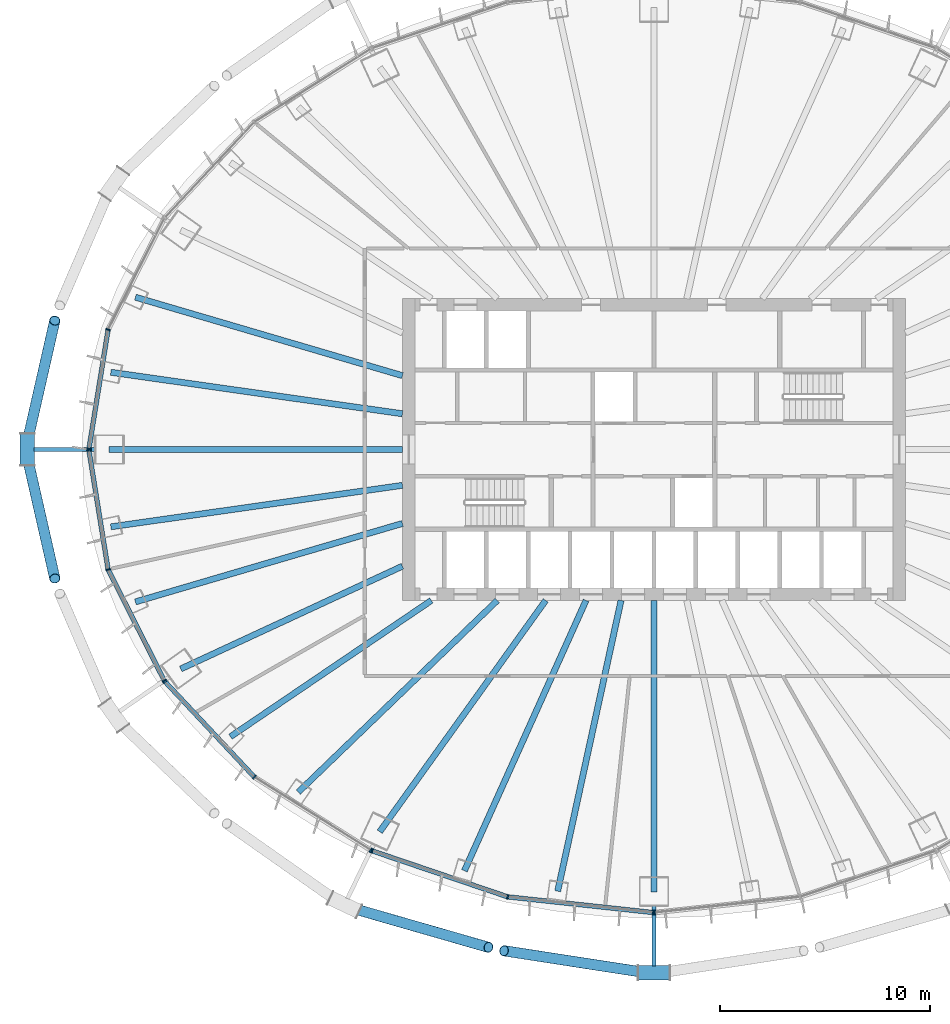
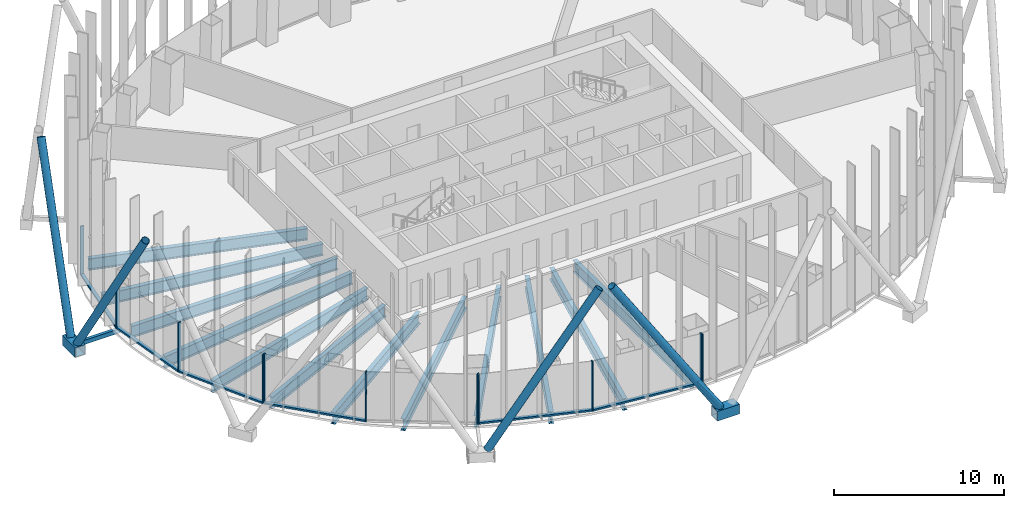
# One storey, part 2 of 21: 26 members, 12 beams, 5 elements without a shape of their own.
"""IFC4 building model written with IfcOpenShell, lengths in metres."""

from ifc_helpers import new_model, si_unit, direction, frame, origin, origin_2d, place, context, subcontext, project, spatial, rectangle, hollow_rectangle, hollow_circle, i_section, extrude, material, layer, layer_set, material_profile, profile_set, type_object, element, aggregate, save


model = new_model("IFC4")

# Units and contexts
model_context = context("Model", 3, precision=1e-05, world=origin(), true_north=direction((0.0, 1.0)))
body_context = subcontext(model_context, "Body", "Model", "MODEL_VIEW")
ifc_project = project(units=[si_unit("LENGTHUNIT", "METRE"), si_unit("AREAUNIT", "SQUARE_METRE"), si_unit("VOLUMEUNIT", "CUBIC_METRE"), si_unit("PLANEANGLEUNIT", "RADIAN"), si_unit("MASSUNIT", "GRAM", prefix="KILO")], contexts=[model_context])

# Site, building, storey
site_placement = place(None, origin())
site = spatial("IfcSite", under=ifc_project, at=site_placement, CompositionType="ELEMENT")
building_placement = place(site_placement, origin())
building = spatial("IfcBuilding", under=site, at=building_placement, Name="Siaravel Broadcast Tower", CompositionType="ELEMENT")
storey_placement = place(building_placement, frame((0.0, 0.0, 70.39990234375)))
storey = spatial("IfcBuildingStorey", under=building, at=storey_placement, Name="L16", CompositionType="ELEMENT", Elevation=70.39990234375)

# Beams
ifc_material_1 = material(Name="Steel S355", Category="steel")
ifc_material_profile_1 = material_profile(ifc_material_1, i_section(OverallWidth=0.291748046875, OverallDepth=0.8349609375, WebThickness=0.013916015625, FlangeThickness=0.018798828125, FilletRadius=0.017822265625, at=origin_2d()))
ifc_profile_set_1 = profile_set([ifc_material_profile_1], Name="Steel S355")
beam_type = type_object("IfcBeamType", Name="BM-UB 838x292x176", PredefinedType="BEAM", material=ifc_profile_set_1)
beam_1_placement = place(storey_placement, frame((-24.739990234375, 7.268798828125, -0.5673828125), z_axis=(0.959449778, -0.281879626, 0.0), x_axis=(0.281879626, 0.959449778, 0.0)))
element("IfcBeam", 1, at=beam_1_placement, inside=storey, type_object=beam_type, Name="Radial beam RB17", PredefinedType="BEAM", context=body_context, shape_type="SweptSolid", body=[
    extrude(i_section(OverallWidth=0.291748046875, OverallDepth=0.8349609375, WebThickness=0.013916015625, FlangeThickness=0.018798828125, FilletRadius=0.017822265625, at=origin_2d()), origin(), (0.0, 0.0, 1.0), 13.2783203125),
])
beam_2_placement = place(storey_placement, frame((-25.911865234375, 3.68701171875, -0.5673828125), z_axis=(0.990028218, -0.140869185, 0.0), x_axis=(0.140869185, 0.990028218, 0.0)))
element("IfcBeam", 2, at=beam_2_placement, inside=storey, type_object=beam_type, Name="Radial beam RB18", PredefinedType="BEAM", context=body_context, shape_type="SweptSolid", body=[
    extrude(i_section(OverallWidth=0.291748046875, OverallDepth=0.8349609375, WebThickness=0.013916015625, FlangeThickness=0.018798828125, FilletRadius=0.017822265625, at=origin_2d()), origin(), (0.0, 0.0, 1.0), 14.052001953125),
])
beam_3_placement = place(storey_placement, frame((-26.005615234375, 0.0, -0.5673828125), z_axis=(1.0, 0.0, 0.0), x_axis=(0.0, 1.0, 0.0)))
element("IfcBeam", 3, at=beam_3_placement, inside=storey, type_object=beam_type, Name="Radial beam RB19", PredefinedType="BEAM", context=body_context, shape_type="SweptSolid", body=[
    extrude(i_section(OverallWidth=0.291748046875, OverallDepth=0.8349609375, WebThickness=0.013916015625, FlangeThickness=0.018798828125, FilletRadius=0.017822265625, at=origin_2d()), origin(), (0.0, 0.0, 1.0), 14.005615234375),
])
beam_4_placement = place(storey_placement, frame((-25.911865234375, -3.68701171875, -0.5673828125), z_axis=(0.990028218, 0.140869185, 0.0), x_axis=(-0.140869185, 0.990028218, 0.0)))
element("IfcBeam", 4, at=beam_4_placement, inside=storey, type_object=beam_type, Name="Radial beam RB20", PredefinedType="BEAM", context=body_context, shape_type="SweptSolid", body=[
    extrude(i_section(OverallWidth=0.291748046875, OverallDepth=0.8349609375, WebThickness=0.013916015625, FlangeThickness=0.018798828125, FilletRadius=0.017822265625, at=origin_2d()), origin(), (0.0, 0.0, 1.0), 14.052001953125),
])
beam_5_placement = place(storey_placement, frame((-24.739990234375, -7.268798828125, -0.5673828125), z_axis=(0.959449778, 0.281879626, 0.0), x_axis=(-0.281879626, 0.959449778, 0.0)))
element("IfcBeam", 5, at=beam_5_placement, inside=storey, type_object=beam_type, Name="Radial beam RB21", PredefinedType="BEAM", context=body_context, shape_type="SweptSolid", body=[
    extrude(i_section(OverallWidth=0.291748046875, OverallDepth=0.8349609375, WebThickness=0.013916015625, FlangeThickness=0.018798828125, FilletRadius=0.017822265625, at=origin_2d()), origin(), (0.0, 0.0, 1.0), 13.2783203125),
])
beam_6_placement = place(storey_placement, frame((-22.5751953125, -10.467529296875, -0.5673828125), z_axis=(0.907224841, 0.420646036, 0.0), x_axis=(-0.420646036, 0.907224841, 0.0)))
element("IfcBeam", 6, at=beam_6_placement, inside=storey, type_object=beam_type, Name="Radial beam RB22", PredefinedType="BEAM", context=body_context, shape_type="SweptSolid", body=[
    extrude(i_section(OverallWidth=0.291748046875, OverallDepth=0.8349609375, WebThickness=0.013916015625, FlangeThickness=0.018798828125, FilletRadius=0.017822265625, at=origin_2d()), origin(), (0.0, 0.0, 1.0), 11.65673828125),
])
beam_7_placement = place(storey_placement, frame((-20.205322265625, -13.69921875, -0.5673828125), z_axis=(0.827695388, 0.561177641, 0.0), x_axis=(-0.561177641, 0.827695388, 0.0)))
element("IfcBeam", 7, at=beam_7_placement, inside=storey, type_object=beam_type, Name="Radial beam RB23", PredefinedType="BEAM", context=body_context, shape_type="SweptSolid", body=[
    extrude(i_section(OverallWidth=0.291748046875, OverallDepth=0.8349609375, WebThickness=0.013916015625, FlangeThickness=0.018798828125, FilletRadius=0.017822265625, at=origin_2d()), origin(), (0.0, 0.0, 1.0), 11.58154296875),
])
beam_8_placement = place(storey_placement, frame((-16.97021484375, -16.348876953125, -0.5673828125), z_axis=(0.72016602, 0.693801775, 0.0), x_axis=(-0.693801775, 0.72016602, 0.0)))
element("IfcBeam", 8, at=beam_8_placement, inside=storey, type_object=beam_type, Name="Radial beam RB24", PredefinedType="BEAM", context=body_context, shape_type="SweptSolid", body=[
    extrude(i_section(OverallWidth=0.291748046875, OverallDepth=0.8349609375, WebThickness=0.013916015625, FlangeThickness=0.018798828125, FilletRadius=0.017822265625, at=origin_2d()), origin(), (0.0, 0.0, 1.0), 13.186767578125),
])
beam_9_placement = place(storey_placement, frame((-13.08251953125, -18.233642578125, -0.5673828125), z_axis=(0.582957933, 0.812502338, 0.0), x_axis=(-0.812502338, 0.582957933, 0.0)))
element("IfcBeam", 9, at=beam_9_placement, inside=storey, type_object=beam_type, Name="Radial beam RB25", PredefinedType="BEAM", context=body_context, shape_type="SweptSolid", body=[
    extrude(i_section(OverallWidth=0.291748046875, OverallDepth=0.8349609375, WebThickness=0.013916015625, FlangeThickness=0.018798828125, FilletRadius=0.017822265625, at=origin_2d()), origin(), (0.0, 0.0, 1.0), 13.579833984375),
])
beam_10_placement = place(storey_placement, frame((-9.0419921875, -20.096923828125, -0.5673828125), z_axis=(0.410297202, 0.911951866, 0.0), x_axis=(-0.911951866, 0.410297202, 0.0)))
element("IfcBeam", 10, at=beam_10_placement, inside=storey, type_object=beam_type, Name="Radial beam RB26", PredefinedType="BEAM", context=body_context, shape_type="SweptSolid", body=[
    extrude(i_section(OverallWidth=0.291748046875, OverallDepth=0.8349609375, WebThickness=0.013916015625, FlangeThickness=0.018798828125, FilletRadius=0.017822265625, at=origin_2d()), origin(), (0.0, 0.0, 1.0), 14.14208984375),
])
beam_11_placement = place(storey_placement, frame((-4.592529296875, -21.073486328125, -0.5673828125), z_axis=(0.212930726, 0.977067299, 0.0), x_axis=(-0.977067299, 0.212930726, 0.0)))
element("IfcBeam", 11, at=beam_11_placement, inside=storey, type_object=beam_type, Name="Radial beam RB27", PredefinedType="BEAM", context=body_context, shape_type="SweptSolid", body=[
    extrude(i_section(OverallWidth=0.291748046875, OverallDepth=0.8349609375, WebThickness=0.013916015625, FlangeThickness=0.018798828125, FilletRadius=0.017822265625, at=origin_2d()), origin(), (0.0, 0.0, 1.0), 14.19921875),
])
beam_12_placement = place(storey_placement, frame((0.0, -21.1025390625, -0.5673828125), z_axis=(0.0, 1.0, 0.0), x_axis=(-1.0, 0.0, 0.0)))
element("IfcBeam", 12, at=beam_12_placement, inside=storey, type_object=beam_type, Name="Radial beam RB28", PredefinedType="BEAM", context=body_context, shape_type="SweptSolid", body=[
    extrude(i_section(OverallWidth=0.291748046875, OverallDepth=0.8349609375, WebThickness=0.013916015625, FlangeThickness=0.018798828125, FilletRadius=0.017822265625, at=origin_2d()), origin(), (0.0, 0.0, 1.0), 13.902587890625),
])

# Curtain wall, members
ifc_material_2 = material(Name="Aluminium 6063-T6", Category="aluminium")
ifc_layer = layer(ifc_material_2, 0.219970703125)
ifc_layer_set = layer_set([ifc_layer], Name="Aluminium 6063-T6")
curtain_wall_type = type_object("IfcCurtainWallType", Name="Unitised curtain wall, zone 1", PredefinedType="NOTDEFINED", material=ifc_layer_set)
curtain_wall_1_placement = place(storey_placement, origin())
curtain_wall_1 = element("IfcCurtainWall", 13, at=curtain_wall_1_placement, inside=storey, type_object=curtain_wall_type, Name="L16 Unitised curtain wall, zone 1 06", PredefinedType="NOTDEFINED")
ifc_material_profile_2 = material_profile(ifc_material_2, rectangle(XDim=0.219970703125, YDim=0.070068359375, at=origin_2d()))
ifc_profile_set_2 = profile_set([ifc_material_profile_2], Name="Aluminium 6063-T6")
member_type_1 = type_object("IfcMemberType", Name="CW-Z1 mullion", PredefinedType="MULLION", material=ifc_profile_set_2)
member_1_placement = place(storey_placement, frame((-26.044189453125, 5.72119140625, 0.0), z_axis=(0.0, 0.0, 1.0), x_axis=(0.951177254, -0.308645154, 0.0)))
member_1 = element("IfcMember", 14, at=member_1_placement, type_object=member_type_1, Name="CW-Z1 mullion 2", PredefinedType="MULLION", context=body_context, shape_type="SweptSolid", body=[
    extrude(rectangle(XDim=0.219970703125, YDim=0.070068359375, at=origin_2d()), origin(), (0.0, 0.0, 1.0), 3.550048828125),
])
member_2_placement = place(storey_placement, frame((-26.9580078125, 0.03466796875, 0.0), z_axis=(0.0, 0.0, 1.0), x_axis=(0.987329186, -0.158685468, 0.0)))
member_2 = element("IfcMember", 15, at=member_2_placement, type_object=member_type_1, Name="CW-Z1 mullion 3", PredefinedType="MULLION", context=body_context, shape_type="SweptSolid", body=[
    extrude(rectangle(XDim=0.219970703125, YDim=0.070068359375, at=origin_2d()), origin(), (0.0, 0.0, 1.0), 3.550048828125),
])

curtain_wall_2_placement = place(storey_placement, origin())
curtain_wall_2 = element("IfcCurtainWall", 16, at=curtain_wall_2_placement, inside=storey, type_object=curtain_wall_type, Name="L16 Unitised curtain wall, zone 1 07", PredefinedType="NOTDEFINED")
member_3_placement = place(storey_placement, frame((-26.9580078125, -0.03466796875, 0.0), z_axis=(0.0, 0.0, 1.0), x_axis=(0.987329186, 0.158685468, 0.0)))
member_3 = element("IfcMember", 17, at=member_3_placement, type_object=member_type_1, Name="CW-Z1 mullion 1", PredefinedType="MULLION", context=body_context, shape_type="SweptSolid", body=[
    extrude(rectangle(XDim=0.219970703125, YDim=0.070068359375, at=origin_2d()), origin(), (0.0, 0.0, 1.0), 3.550048828125),
])
member_4_placement = place(storey_placement, frame((-26.044189453125, -5.72119140625, 0.0), z_axis=(0.0, 0.0, 1.0), x_axis=(0.951177254, 0.308645154, 0.0)))
member_4 = element("IfcMember", 18, at=member_4_placement, type_object=member_type_1, Name="CW-Z1 mullion 2", PredefinedType="MULLION", context=body_context, shape_type="SweptSolid", body=[
    extrude(rectangle(XDim=0.219970703125, YDim=0.070068359375, at=origin_2d()), origin(), (0.0, 0.0, 1.0), 3.550048828125),
])
member_5_placement = place(storey_placement, frame((-23.364501953125, -11.020263671875, 0.0), z_axis=(0.0, 0.0, 1.0), x_axis=(0.892392184, 0.451260668, 0.0)))
member_5 = element("IfcMember", 19, at=member_5_placement, type_object=member_type_1, Name="CW-Z1 mullion 3", PredefinedType="MULLION", context=body_context, shape_type="SweptSolid", body=[
    extrude(rectangle(XDim=0.219970703125, YDim=0.070068359375, at=origin_2d()), origin(), (0.0, 0.0, 1.0), 3.550048828125),
])

curtain_wall_3_placement = place(storey_placement, origin())
curtain_wall_3 = element("IfcCurtainWall", 20, at=curtain_wall_3_placement, inside=storey, type_object=curtain_wall_type, Name="L16 Unitised curtain wall, zone 1 08", PredefinedType="NOTDEFINED")
member_6_placement = place(storey_placement, frame((-23.32470703125, -11.076904296875, 0.0), z_axis=(0.0, 0.0, 1.0), x_axis=(0.729805583, 0.683654746, 0.0)))
member_6 = element("IfcMember", 21, at=member_6_placement, type_object=member_type_1, Name="CW-Z1 mullion 1", PredefinedType="MULLION", context=body_context, shape_type="SweptSolid", body=[
    extrude(rectangle(XDim=0.219970703125, YDim=0.070068359375, at=origin_2d()), origin(), (0.0, 0.0, 1.0), 3.550048828125),
])
member_7_placement = place(storey_placement, frame((-19.0625, -15.627197265625, 0.0), z_axis=(0.0, 0.0, 1.0), x_axis=(0.63621907, 0.771508454, 0.0)))
member_7 = element("IfcMember", 22, at=member_7_placement, type_object=member_type_1, Name="CW-Z1 mullion 2", PredefinedType="MULLION", context=body_context, shape_type="SweptSolid", body=[
    extrude(rectangle(XDim=0.219970703125, YDim=0.070068359375, at=origin_2d()), origin(), (0.0, 0.0, 1.0), 3.550048828125),
])
member_8_placement = place(storey_placement, frame((-13.5078125, -19.118408203125, 0.0), z_axis=(0.0, 0.0, 1.0), x_axis=(0.532149761, 0.846650242, 0.0)))
member_8 = element("IfcMember", 23, at=member_8_placement, type_object=member_type_1, Name="CW-Z1 mullion 3", PredefinedType="MULLION", context=body_context, shape_type="SweptSolid", body=[
    extrude(rectangle(XDim=0.219970703125, YDim=0.070068359375, at=origin_2d()), origin(), (0.0, 0.0, 1.0), 3.550048828125),
])

curtain_wall_4_placement = place(storey_placement, origin())
curtain_wall_4 = element("IfcCurtainWall", 24, at=curtain_wall_4_placement, inside=storey, type_object=curtain_wall_type, Name="L16 Unitised curtain wall, zone 1 09", PredefinedType="NOTDEFINED")
member_9_placement = place(storey_placement, frame((-13.445068359375, -19.148193359375, 0.0), z_axis=(0.0, 0.0, 1.0), x_axis=(0.321301105, 0.946977085, 0.0)))
member_9 = element("IfcMember", 25, at=member_9_placement, type_object=member_type_1, Name="CW-Z1 mullion 1", PredefinedType="MULLION", context=body_context, shape_type="SweptSolid", body=[
    extrude(rectangle(XDim=0.219970703125, YDim=0.070068359375, at=origin_2d()), origin(), (0.0, 0.0, 1.0), 3.550048828125),
])
member_10_placement = place(storey_placement, frame((-6.9765625, -21.343017578125, 0.0), z_axis=(0.0, 0.0, 1.0), x_axis=(0.21555841, 0.976490948, 0.0)))
member_10 = element("IfcMember", 26, at=member_10_placement, type_object=member_type_1, Name="CW-Z1 mullion 2", PredefinedType="MULLION", context=body_context, shape_type="SweptSolid", body=[
    extrude(rectangle(XDim=0.219970703125, YDim=0.070068359375, at=origin_2d()), origin(), (0.0, 0.0, 1.0), 3.550048828125),
])
member_11_placement = place(storey_placement, frame((-0.034912109375, -22.091552734375, 0.0), z_axis=(0.0, 0.0, 1.0), x_axis=(0.107217679, 0.99423557, 0.0)))
member_11 = element("IfcMember", 27, at=member_11_placement, type_object=member_type_1, Name="CW-Z1 mullion 3", PredefinedType="MULLION", context=body_context, shape_type="SweptSolid", body=[
    extrude(rectangle(XDim=0.219970703125, YDim=0.070068359375, at=origin_2d()), origin(), (0.0, 0.0, 1.0), 3.550048828125),
])

# Curtain wall, member
curtain_wall_5_placement = place(storey_placement, origin())
curtain_wall_5 = element("IfcCurtainWall", 28, at=curtain_wall_5_placement, inside=storey, type_object=curtain_wall_type, Name="L16 Unitised curtain wall, zone 1 10", PredefinedType="NOTDEFINED")
member_12_placement = place(storey_placement, frame((0.034912109375, -22.091552734375, 0.0), z_axis=(0.0, 0.0, 1.0), x_axis=(-0.107217679, 0.99423557, 0.0)))
member_12 = element("IfcMember", 29, at=member_12_placement, type_object=member_type_1, Name="CW-Z1 mullion 1", PredefinedType="MULLION", context=body_context, shape_type="SweptSolid", body=[
    extrude(rectangle(XDim=0.219970703125, YDim=0.070068359375, at=origin_2d()), origin(), (0.0, 0.0, 1.0), 3.550048828125),
])
aggregate(curtain_wall_5, [member_12])

# Member
ifc_material_profile_3 = material_profile(ifc_material_2, rectangle(XDim=0.219970703125, YDim=0.1201171875, at=origin_2d()))
ifc_profile_set_3 = profile_set([ifc_material_profile_3], Name="Aluminium 6063-T6")
member_type_2 = type_object("IfcMemberType", Name="CW-Z1 transom", PredefinedType="USERDEFINED", material=ifc_profile_set_3)
member_13_placement = place(storey_placement, frame((-26.049560546875, 5.686767578125, 0.06005859375), z_axis=(-0.158676602, -0.987330611, 0.0), x_axis=(0.987330611, -0.158676602, 0.0)))
member_13 = element("IfcMember", 30, at=member_13_placement, type_object=member_type_2, Name="CW-Z1 transom 2", ObjectType="TRANSOM", PredefinedType="USERDEFINED", context=body_context, shape_type="SweptSolid", body=[
    extrude(rectangle(XDim=0.219970703125, YDim=0.1201171875, at=origin_2d()), origin(), (0.0, 0.0, 1.0), 5.689697265625),
])

aggregate(curtain_wall_1, [member_1, member_2, member_13])

member_14_placement = place(storey_placement, frame((-26.952392578125, -0.069091796875, 0.06005859375), z_axis=(0.158676602, -0.987330611, 0.0), x_axis=(0.987330611, 0.158676602, 0.0)))
member_14 = element("IfcMember", 31, at=member_14_placement, type_object=member_type_2, Name="CW-Z1 transom 1", ObjectType="TRANSOM", PredefinedType="USERDEFINED", context=body_context, shape_type="SweptSolid", body=[
    extrude(rectangle(XDim=0.219970703125, YDim=0.1201171875, at=origin_2d()), origin(), (0.0, 0.0, 1.0), 5.689697265625),
])

member_15_placement = place(storey_placement, frame((-26.0283203125, -5.75244140625, 0.06005859375), z_axis=(0.451253077, -0.892396022, 0.0), x_axis=(0.892396022, 0.451253077, 0.0)))
member_15 = element("IfcMember", 32, at=member_15_placement, type_object=member_type_2, Name="CW-Z1 transom 2", ObjectType="TRANSOM", PredefinedType="USERDEFINED", context=body_context, shape_type="SweptSolid", body=[
    extrude(rectangle(XDim=0.219970703125, YDim=0.1201171875, at=origin_2d()), origin(), (0.0, 0.0, 1.0), 5.867919921875),
])

aggregate(curtain_wall_2, [member_3, member_4, member_5, member_14, member_15])

member_16_placement = place(storey_placement, frame((-23.30078125, -11.1025390625, 0.06005859375), z_axis=(0.683640708, -0.729818733, 0.0), x_axis=(0.729818733, 0.683640708, 0.0)))
member_16 = element("IfcMember", 33, at=member_16_placement, type_object=member_type_2, Name="CW-Z1 transom 1", ObjectType="TRANSOM", PredefinedType="USERDEFINED", context=body_context, shape_type="SweptSolid", body=[
    extrude(rectangle(XDim=0.219970703125, YDim=0.1201171875, at=origin_2d()), origin(), (0.0, 0.0, 1.0), 6.16455078125),
])

aggregate(curtain_wall_3, [member_6, member_7, member_8, member_16])

member_17_placement = place(storey_placement, frame((-13.411865234375, -19.159423828125, 0.06005859375), z_axis=(0.946972422, -0.321314849, 0.0), x_axis=(0.321314849, 0.946972422, 0.0)))
member_17 = element("IfcMember", 34, at=member_17_placement, type_object=member_type_2, Name="CW-Z1 transom 1", ObjectType="TRANSOM", PredefinedType="USERDEFINED", context=body_context, shape_type="SweptSolid", body=[
    extrude(rectangle(XDim=0.219970703125, YDim=0.1201171875, at=origin_2d()), origin(), (0.0, 0.0, 1.0), 6.7607421875),
])

member_18_placement = place(storey_placement, frame((-6.941650390625, -21.3466796875, 0.06005859375), z_axis=(0.99423354, -0.107236501, 0.0), x_axis=(0.107236501, 0.99423354, 0.0)))
member_18 = element("IfcMember", 35, at=member_18_placement, type_object=member_type_2, Name="CW-Z1 transom 2", ObjectType="TRANSOM", PredefinedType="USERDEFINED", context=body_context, shape_type="SweptSolid", body=[
    extrude(rectangle(XDim=0.219970703125, YDim=0.1201171875, at=origin_2d()), origin(), (0.0, 0.0, 1.0), 6.911865234375),
])

aggregate(curtain_wall_4, [member_9, member_10, member_11, member_17, member_18])

# Members
ifc_material_3 = material(Name="Steel S460", Category="steel")
ifc_material_profile_4 = material_profile(ifc_material_3, hollow_circle(Radius=0.25390625, WallThickness=0.02001953125, at=origin_2d()))
ifc_profile_set_4 = profile_set([ifc_material_profile_4], Name="Steel S460")
member_type_3 = type_object("IfcMemberType", Name="Diagrid diagonal CHS 508x20", PredefinedType="BRACE", material=ifc_profile_set_4)
for number, where, z_axis, x_axis, name in (
    (36, (-29.897705078125, 0.37939453125, 0.1201171875), (0.109155111, 0.48039217, 0.870234753), (-0.97514379, 0.221572988, 0.0), "Diagrid diagonal R07 station 36C"),
    (37, (-29.897705078125, -0.37939453125, 0.1201171875), (0.109155111, -0.48039217, 0.870234753), (0.97514379, 0.221572988, 0.0), "Diagrid diagonal R07 station 36A"),
):
    element("IfcMember", number, at=place(storey_placement, frame(where, z_axis=z_axis, x_axis=x_axis)), inside=storey, type_object=member_type_3, Name=name, PredefinedType="BRACE", context=body_context, shape_type="SweptSolid", body=[
        extrude(hollow_circle(Radius=0.25390625, WallThickness=0.02001953125, at=origin_2d()), origin(), (0.0, 0.0, 1.0), 12.019775390625),
    ])
member_19_placement = place(storey_placement, frame((-14.41748046875, -21.876953125, 0.1201171875), z_axis=(0.523174045, -0.150406909, 0.838848425), x_axis=(0.276297874, 0.96107205, 0.0)))
element("IfcMember", 38, at=member_19_placement, inside=storey, type_object=member_type_3, Name="Diagrid diagonal R07 station 48A", PredefinedType="BRACE", context=body_context, shape_type="SweptSolid", body=[
    extrude(hollow_circle(Radius=0.25390625, WallThickness=0.02001953125, at=origin_2d()), origin(), (0.0, 0.0, 1.0), 12.469482421875),
])
member_20_placement = place(storey_placement, frame((-0.37939453125, -24.9599609375, 0.1201171875), z_axis=(-0.541632288, 0.083559319, 0.836452213), x_axis=(-0.152469417, -0.988308189, 0.0)))
element("IfcMember", 39, at=member_20_placement, inside=storey, type_object=member_type_3, Name="Diagrid diagonal R07 station 54C", PredefinedType="BRACE", context=body_context, shape_type="SweptSolid", body=[
    extrude(hollow_circle(Radius=0.25390625, WallThickness=0.02001953125, at=origin_2d()), origin(), (0.0, 0.0, 1.0), 12.505126953125),
])
ifc_material_profile_5 = material_profile(ifc_material_3, hollow_rectangle(XDim=0.699951171875, YDim=0.699951171875, WallThickness=0.0400390625, at=origin_2d()))
ifc_profile_set_5 = profile_set([ifc_material_profile_5], Name="Steel S460")
member_type_4 = type_object("IfcMemberType", Name="Diagrid node BOX 700x700x40", PredefinedType="USERDEFINED", material=ifc_profile_set_5)
for number, where, z_axis, x_axis, name in (
    (40, (-29.897705078125, 0.75341796875, -0.199951171875), (0.0, -1.0, 0.0), (1.0, 0.0, 0.0), "Diagrid node R07 station 36"),
    (41, (-0.75341796875, -24.9599609375, -0.199951171875), (1.0, 0.0, 0.0), (0.0, 1.0, 0.0), "Diagrid node R07 station 54"),
):
    element("IfcMember", number, at=place(storey_placement, frame(where, z_axis=z_axis, x_axis=x_axis)), inside=storey, type_object=member_type_4, Name=name, ObjectType="DIAGRID NODE", PredefinedType="USERDEFINED", context=body_context, shape_type="SweptSolid", body=[
        extrude(hollow_rectangle(XDim=0.699951171875, YDim=0.699951171875, WallThickness=0.0400390625, at=origin_2d()), origin(), (0.0, 0.0, 1.0), 1.5068359375),
    ])
ifc_material_profile_6 = material_profile(ifc_material_3, hollow_rectangle(XDim=0.199951171875, YDim=0.300048828125, WallThickness=0.012451171875, at=origin_2d()))
ifc_profile_set_6 = profile_set([ifc_material_profile_6], Name="Steel S460")
member_type_5 = type_object("IfcMemberType", Name="Diagrid node arm RHS 300x200x12.5", PredefinedType="STRUT", material=ifc_profile_set_6)
member_21_placement = place(storey_placement, frame((-26.67578125, 0.0, -0.199951171875), z_axis=(-1.0, 0.0, 0.0), x_axis=(0.0, -1.0, 0.0)))
element("IfcMember", 42, at=member_21_placement, inside=storey, type_object=member_type_5, Name="Node arm R07 station 36", PredefinedType="STRUT", context=body_context, shape_type="SweptSolid", body=[
    extrude(hollow_rectangle(XDim=0.199951171875, YDim=0.300048828125, WallThickness=0.012451171875, at=origin_2d()), origin(), (0.0, 0.0, 1.0), 2.902099609375),
])
member_22_placement = place(storey_placement, frame((0.0, -21.772705078125, -0.199951171875), z_axis=(0.0, -1.0, 0.0), x_axis=(1.0, 0.0, 0.0)))
element("IfcMember", 43, at=member_22_placement, inside=storey, type_object=member_type_5, Name="Node arm R07 station 54", PredefinedType="STRUT", context=body_context, shape_type="SweptSolid", body=[
    extrude(hollow_rectangle(XDim=0.199951171875, YDim=0.300048828125, WallThickness=0.012451171875, at=origin_2d()), origin(), (0.0, 0.0, 1.0), 2.8671875),
])

save(model, "model.ifc")
